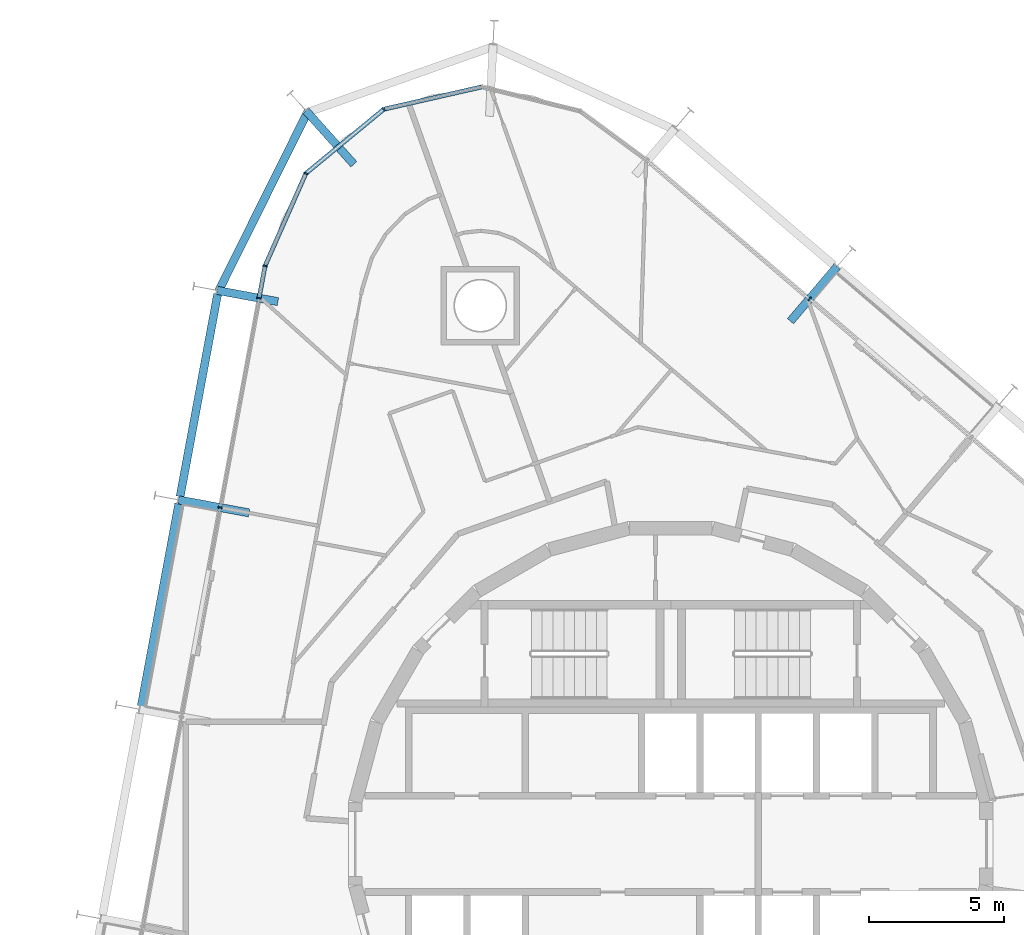
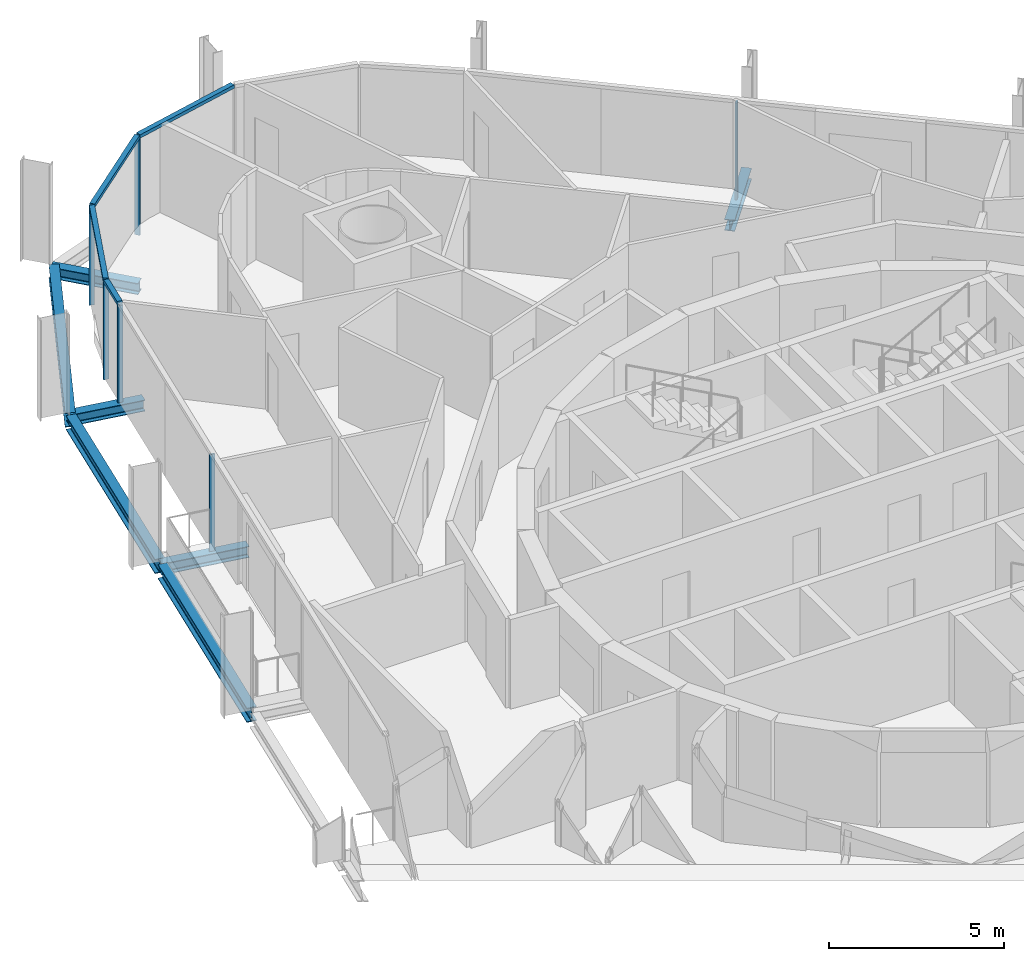
# One storey, part 6 of 17: 10 members, 7 beams, 3 elements without a shape of their own.
"""IFC4 building model written with IfcOpenShell, lengths in metres."""

from ifc_helpers import new_model, si_unit, direction, frame, origin, origin_2d, place, context, subcontext, project, spatial, rectangle, i_section, extrude, material, layer, layer_set, material_profile, profile_set, type_object, element, aggregate, save


model = new_model("IFC4")

# Units and contexts
model_context = context("Model", 3, precision=1e-05, world=origin(), true_north=direction((0.0, 1.0)))
body_context = subcontext(model_context, "Body", "Model", "MODEL_VIEW")
ifc_project = project(units=[si_unit("LENGTHUNIT", "METRE"), si_unit("AREAUNIT", "SQUARE_METRE"), si_unit("VOLUMEUNIT", "CUBIC_METRE"), si_unit("PLANEANGLEUNIT", "RADIAN"), si_unit("MASSUNIT", "GRAM", prefix="KILO")], contexts=[model_context])

# Site, building, storey
site_placement = place(None, origin())
site = spatial("IfcSite", under=ifc_project, at=site_placement, CompositionType="ELEMENT")
building_placement = place(site_placement, origin())
building = spatial("IfcBuilding", under=site, at=building_placement, Name="Spindle Arch Residences", CompositionType="ELEMENT")
storey_placement = place(building_placement, frame((0.0, 0.0, 162.199951171875)))
storey = spatial("IfcBuildingStorey", under=building, at=storey_placement, Name="L40", CompositionType="ELEMENT", Elevation=162.199951171875)

# Curtain wall, member
ifc_material_1 = material(Name="Aluminium bronze unitised frame with tinted glass", Category="aluminium")
ifc_layer_1 = layer(ifc_material_1, 0.159912109375)
ifc_layer_set_1 = layer_set([ifc_layer_1], Name="CW-C typical residential unitised wall")
curtain_wall_type_1 = type_object("IfcCurtainWallType", Name="CW-C typical residential unitised wall", PredefinedType="NOTDEFINED", material=ifc_layer_set_1)
curtain_wall_1_placement = place(storey_placement, origin())
curtain_wall_1 = element("IfcCurtainWall", 1, at=curtain_wall_1_placement, inside=storey, type_object=curtain_wall_type_1, Name="CW-C L40 run 2", PredefinedType="NOTDEFINED")
ifc_material_2 = material(Name="Aluminium bronze anodised mullion", Category="aluminium")
ifc_material_profile_1 = material_profile(ifc_material_2, rectangle(XDim=0.159912109375, YDim=0.06005859375, at=origin_2d()), Name="MU 60x160")
ifc_profile_set_1 = profile_set([ifc_material_profile_1], Name="Aluminium bronze anodised mullion")
member_type_1 = type_object("IfcMemberType", Name="Bronze mullion 60x160", PredefinedType="MULLION", material=ifc_profile_set_1)
member_1_placement = place(storey_placement, frame((5.115234375, 20.10888671875, -0.3798828125), z_axis=(0.0, 0.0, 1.0), x_axis=(-0.64944804833, -0.7604059656, 0.0)))
member_1 = element("IfcMember", 2, at=member_1_placement, type_object=member_type_1, Name="CW-C mullion 08", PredefinedType="MULLION", context=body_context, shape_type="SweptSolid", body=[
    extrude(rectangle(XDim=0.159912109375, YDim=0.06005859375, at=origin_2d()), origin(), (0.0, 0.0, 1.0), 3.3798828125),
])
aggregate(curtain_wall_1, [member_1])

# Curtain wall, members
ifc_material_3 = material(Name="Aluminium bronze unitised frame with tinted glass", Category="aluminium")
ifc_layer_2 = layer(ifc_material_3, 0.159912109375)
ifc_layer_set_2 = layer_set([ifc_layer_2], Name="CW-D corner wall on the fillet arcs")
curtain_wall_type_2 = type_object("IfcCurtainWallType", Name="CW-D corner wall on the fillet arcs", PredefinedType="NOTDEFINED", material=ifc_layer_set_2)
curtain_wall_2_placement = place(storey_placement, origin())
curtain_wall_2 = element("IfcCurtainWall", 3, at=curtain_wall_2_placement, inside=storey, type_object=curtain_wall_type_2, Name="CW-D L40 run 3", PredefinedType="NOTDEFINED")
member_2_placement = place(storey_placement, frame((-10.594970703125, 27.109619140625, -0.3798828125), z_axis=(0.0, 0.0, 1.0), x_axis=(0.636078220709, -0.771624583032, 0.0)))
member_2 = element("IfcMember", 4, at=member_2_placement, type_object=member_type_1, Name="CW-D mullion 03", PredefinedType="MULLION", context=body_context, shape_type="SweptSolid", body=[
    extrude(rectangle(XDim=0.159912109375, YDim=0.06005859375, at=origin_2d()), origin(), (0.0, 0.0, 1.0), 3.3798828125),
])
member_3_placement = place(storey_placement, frame((-13.470703125, 24.739013671875, -0.3798828125), z_axis=(0.0, 0.0, 1.0), x_axis=(0.914724741271, -0.404077526853, 0.0)))
member_3 = element("IfcMember", 5, at=member_3_placement, type_object=member_type_1, Name="CW-D mullion 04", PredefinedType="MULLION", context=body_context, shape_type="SweptSolid", body=[
    extrude(rectangle(XDim=0.159912109375, YDim=0.06005859375, at=origin_2d()), origin(), (0.0, 0.0, 1.0), 3.3798828125),
])
member_4_placement = place(storey_placement, frame((-14.9765625, 21.330078125, -0.3798828125), z_axis=(0.0, 0.0, 1.0), x_axis=(0.983254907564, -0.182235525492, 0.0)))
member_4 = element("IfcMember", 6, at=member_4_placement, type_object=member_type_1, Name="CW-D mullion 05", PredefinedType="MULLION", context=body_context, shape_type="SweptSolid", body=[
    extrude(rectangle(XDim=0.159912109375, YDim=0.06005859375, at=origin_2d()), origin(), (0.0, 0.0, 1.0), 3.3798828125),
])

curtain_wall_3_placement = place(storey_placement, origin())
curtain_wall_3 = element("IfcCurtainWall", 7, at=curtain_wall_3_placement, inside=storey, type_object=curtain_wall_type_1, Name="CW-C L40 run 4", PredefinedType="NOTDEFINED")
member_5_placement = place(storey_placement, frame((-15.19775390625, 20.136962890625, -0.3798828125), z_axis=(0.0, 0.0, 1.0), x_axis=(0.983254907564, -0.182235525492, 0.0)))
member_5 = element("IfcMember", 8, at=member_5_placement, type_object=member_type_1, Name="CW-C mullion 12", PredefinedType="MULLION", context=body_context, shape_type="SweptSolid", body=[
    extrude(rectangle(XDim=0.159912109375, YDim=0.06005859375, at=origin_2d()), origin(), (0.0, 0.0, 1.0), 3.3798828125),
])
member_6_placement = place(storey_placement, frame((-16.630126953125, 12.408447265625, -0.3798828125), z_axis=(0.0, 0.0, 1.0), x_axis=(0.983254907564, -0.182235525492, 0.0)))
member_6 = element("IfcMember", 9, at=member_6_placement, type_object=member_type_1, Name="CW-C mullion 13", PredefinedType="MULLION", context=body_context, shape_type="SweptSolid", body=[
    extrude(rectangle(XDim=0.159912109375, YDim=0.06005859375, at=origin_2d()), origin(), (0.0, 0.0, 1.0), 3.3798828125),
])
aggregate(curtain_wall_3, [member_5, member_6])

# Member
ifc_material_4 = material(Name="Aluminium bronze anodised transom", Category="aluminium")
ifc_material_profile_2 = material_profile(ifc_material_4, rectangle(XDim=0.159912109375, YDim=0.1201171875, at=origin_2d()), Name="TR 120x160")
ifc_profile_set_2 = profile_set([ifc_material_profile_2], Name="Aluminium bronze anodised transom")
member_type_2 = type_object("IfcMemberType", Name="Bronze transom 120x160", PredefinedType="USERDEFINED", material=ifc_profile_set_2)
member_7_placement = place(storey_placement, frame((-6.99072265625, 27.9306640625, 3.06005859375), z_axis=(-0.975020234813, -0.222116054585, 0.0), x_axis=(0.222116054585, -0.975020234813, 0.0)))
member_7 = element("IfcMember", 10, at=member_7_placement, type_object=member_type_2, Name="CW-D transom 02", ObjectType="TRANSOM", PredefinedType="USERDEFINED", context=body_context, shape_type="SweptSolid", body=[
    extrude(rectangle(XDim=0.159912109375, YDim=0.1201171875, at=origin_2d()), origin(), (0.0, 0.0, 1.0), 3.666748046875),
])

member_8_placement = place(storey_placement, frame((-10.6181640625, 27.09033203125, 3.06005859375), z_axis=(-0.771632242696, -0.63606892868, 0.0), x_axis=(0.63606892868, -0.771632242696, 0.0)))
member_8 = element("IfcMember", 11, at=member_8_placement, type_object=member_type_2, Name="CW-D transom 03", ObjectType="TRANSOM", PredefinedType="USERDEFINED", context=body_context, shape_type="SweptSolid", body=[
    extrude(rectangle(XDim=0.159912109375, YDim=0.1201171875, at=origin_2d()), origin(), (0.0, 0.0, 1.0), 3.666748046875),
])

member_9_placement = place(storey_placement, frame((-13.48291015625, 24.711669921875, 3.06005859375), z_axis=(-0.404067984384, -0.914728956575, 0.0), x_axis=(0.914728956575, -0.404067984384, 0.0)))
member_9 = element("IfcMember", 12, at=member_9_placement, type_object=member_type_2, Name="CW-D transom 04", ObjectType="TRANSOM", PredefinedType="USERDEFINED", context=body_context, shape_type="SweptSolid", body=[
    extrude(rectangle(XDim=0.159912109375, YDim=0.1201171875, at=origin_2d()), origin(), (0.0, 0.0, 1.0), 3.6669921875),
])

member_10_placement = place(storey_placement, frame((-14.982177734375, 21.300537109375, 3.06005859375), z_axis=(-0.182256018308, -0.983251109224, 0.0), x_axis=(0.983251109224, -0.182256018308, 0.0)))
member_10 = element("IfcMember", 13, at=member_10_placement, type_object=member_type_2, Name="CW-D transom 05", ObjectType="TRANSOM", PredefinedType="USERDEFINED", context=body_context, shape_type="SweptSolid", body=[
    extrude(rectangle(XDim=0.159912109375, YDim=0.1201171875, at=origin_2d()), origin(), (0.0, 0.0, 1.0), 1.1533203125),
])

aggregate(curtain_wall_2, [member_7, member_2, member_8, member_3, member_9, member_4, member_10])

# Beams
ifc_material_5 = material(Name="Steel S460ML, intumescent coating R 120", Category="steel")
ifc_material_profile_3 = material_profile(ifc_material_5, i_section(OverallWidth=0.300048828125, OverallDepth=0.5, WebThickness=0.014404296875, FlangeThickness=0.028076171875, FilletRadius=0.027099609375, at=origin_2d()), Name="HEB 500")
ifc_profile_set_3 = profile_set([ifc_material_profile_3], Name="Steel S460ML, intumescent coating R 120")
beam_type_1 = type_object("IfcBeamType", Name="Exoskeleton edge beam HEB 500", PredefinedType="BEAM", material=ifc_profile_set_3)
beam_1_placement = place(storey_placement, frame((-13.39404296875, 27.031005859375, -0.6298828125), z_axis=(-0.445068669434, -0.895496443035, 0.0), x_axis=(0.895496443035, -0.445068669434, 0.0)))
element("IfcBeam", 14, at=beam_1_placement, inside=storey, type_object=beam_type_1, Name="Exoskeleton edge beam 12", PredefinedType="BEAM", context=body_context, shape_type="SweptSolid", body=[
    extrude(i_section(OverallWidth=0.300048828125, OverallDepth=0.5, WebThickness=0.014404296875, FlangeThickness=0.028076171875, FilletRadius=0.027099609375, at=origin_2d()), origin(), (0.0, 0.0, 1.0), 7.42578125),
])
for number, where, z_axis, x_axis, name in (
    (15, (-16.725830078125, 20.2880859375, -0.6298828125), (-0.182234195466, -0.983255154069, 0.0), (0.983255154069, -0.182234195466, 0.0), "Exoskeleton edge beam 13"),
    (16, (-18.158203125, 12.5595703125, -0.6298828125), (-0.182234195466, -0.983255154069, 0.0), (0.983255154069, -0.182234195466, 0.0), "Exoskeleton edge beam 14"),
):
    element("IfcBeam", number, at=place(storey_placement, frame(where, z_axis=z_axis, x_axis=x_axis)), inside=storey, type_object=beam_type_1, Name=name, PredefinedType="BEAM", context=body_context, shape_type="SweptSolid", body=[
        extrude(i_section(OverallWidth=0.300048828125, OverallDepth=0.5, WebThickness=0.014404296875, FlangeThickness=0.028076171875, FilletRadius=0.027099609375, at=origin_2d()), origin(), (0.0, 0.0, 1.0), 7.60009765625),
    ])
ifc_material_6 = material(Name="Steel S460ML, intumescent coating R 120", Category="steel")
ifc_material_profile_4 = material_profile(ifc_material_6, i_section(OverallWidth=0.300048828125, OverallDepth=0.389892578125, WebThickness=0.010986328125, FlangeThickness=0.01904296875, FilletRadius=0.027099609375, at=origin_2d()), Name="HEA 400")
ifc_profile_set_4 = profile_set([ifc_material_profile_4], Name="Steel S460ML, intumescent coating R 120")
beam_type_2 = type_object("IfcBeamType", Name="Floor outrigger HEA 400", PredefinedType="BEAM", material=ifc_profile_set_4)
for number, where, z_axis, x_axis, name in (
    (17, (6.134765625, 21.302734375, -0.574951171875), (-0.64941704551, -0.760432443417, 0.0), (0.760432443417, -0.64941704551, 0.0), "Floor outrigger 9"),
    (18, (-13.46337890625, 27.052001953125, -0.574951171875), (0.666477017118, -0.745525576793, 0.0), (0.745525576793, 0.666477017118, 0.0), "Floor outrigger 12"),
):
    element("IfcBeam", number, at=place(storey_placement, frame(where, z_axis=z_axis, x_axis=x_axis)), inside=storey, type_object=beam_type_2, Name=name, PredefinedType="BEAM", context=body_context, shape_type="SweptSolid", body=[
        extrude(i_section(OverallWidth=0.300048828125, OverallDepth=0.389892578125, WebThickness=0.010986328125, FlangeThickness=0.01904296875, FilletRadius=0.027099609375, at=origin_2d()), origin(), (0.0, 0.0, 1.0), 2.64990234375),
    ])
beam_2_placement = place(storey_placement, frame((-16.741455078125, 20.423095703125, -0.574951171875), z_axis=(0.983259266178, -0.182212006947, 0.0), x_axis=(0.182212006947, 0.983259266178, 0.0)))
element("IfcBeam", 19, at=beam_2_placement, inside=storey, type_object=beam_type_2, Name="Floor outrigger 13", PredefinedType="BEAM", context=body_context, shape_type="SweptSolid", body=[
    extrude(i_section(OverallWidth=0.300048828125, OverallDepth=0.389892578125, WebThickness=0.010986328125, FlangeThickness=0.01904296875, FilletRadius=0.027099609375, at=origin_2d()), origin(), (0.0, 0.0, 1.0), 2.279052734375),
])
beam_3_placement = place(storey_placement, frame((-18.173828125, 12.694580078125, -0.574951171875), z_axis=(0.98325694826, -0.182224514537, 0.0), x_axis=(0.182224514537, 0.98325694826, 0.0)))
element("IfcBeam", 20, at=beam_3_placement, inside=storey, type_object=beam_type_2, Name="Floor outrigger 14", PredefinedType="BEAM", context=body_context, shape_type="SweptSolid", body=[
    extrude(i_section(OverallWidth=0.300048828125, OverallDepth=0.389892578125, WebThickness=0.010986328125, FlangeThickness=0.01904296875, FilletRadius=0.027099609375, at=origin_2d()), origin(), (0.0, 0.0, 1.0), 2.650146484375),
])

save(model, "model.ifc")
